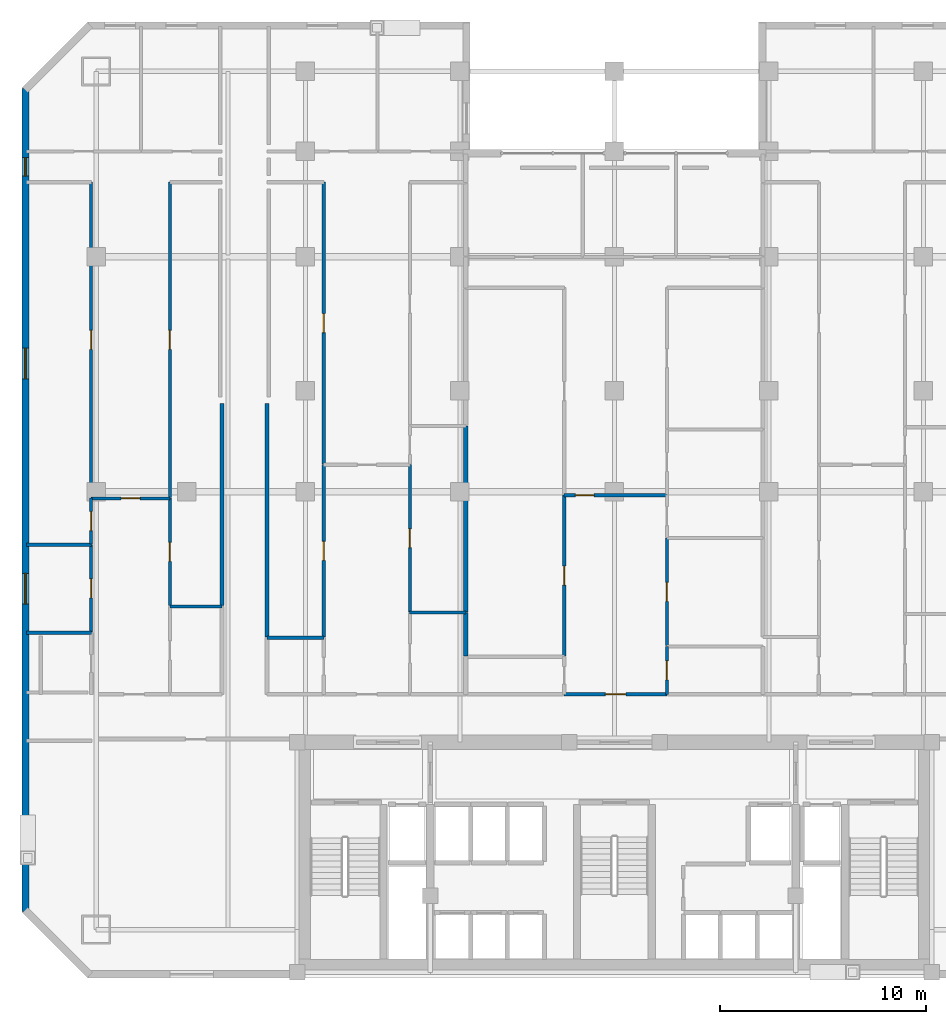
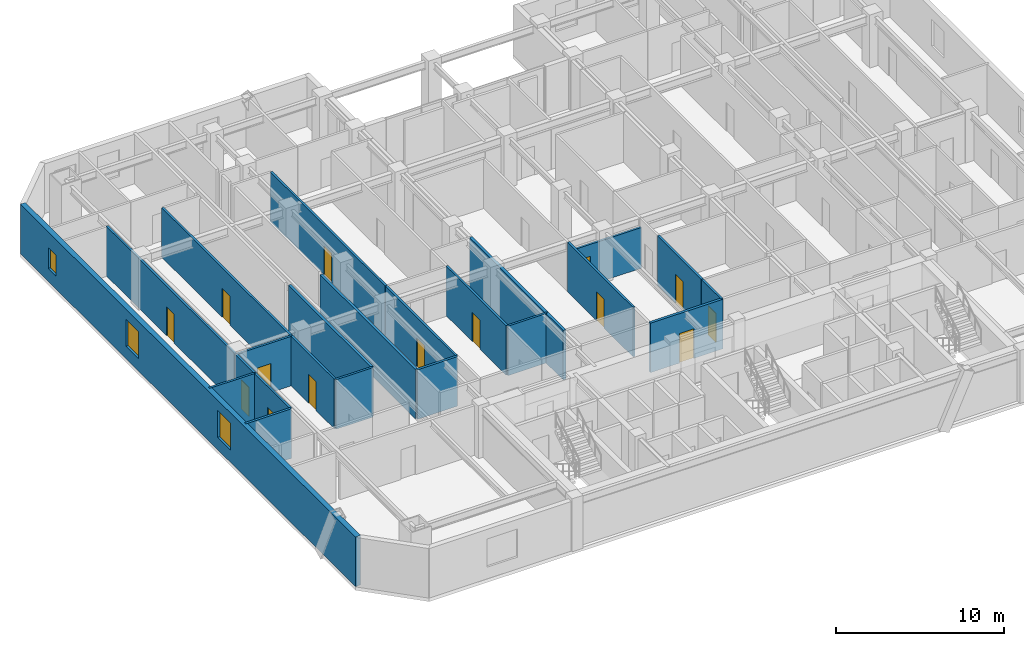
# One storey, part 8 of 14: 24 walls, 14 doors, 3 windows, 17 openings.
"""IFC4 building model written with IfcOpenShell, lengths in metres."""

from ifc_helpers import new_model, si_unit, direction, frame, frame_2d, origin, place, context, subcontext, project, spatial, rectangle, extrude, material, layer, layer_set, type_object, element, fill, save


model = new_model("IFC4")

# Units and contexts
model_context = context("Model", 3, precision=1e-05, world=origin(), true_north=direction((0.0, 1.0)))
body_context = subcontext(model_context, "Body", "Model", "MODEL_VIEW")
ifc_project = project(units=[si_unit("LENGTHUNIT", "METRE"), si_unit("AREAUNIT", "SQUARE_METRE"), si_unit("VOLUMEUNIT", "CUBIC_METRE"), si_unit("PLANEANGLEUNIT", "RADIAN"), si_unit("MASSUNIT", "GRAM", prefix="KILO")], contexts=[model_context])

# Site, building, storey
site_placement = place(None, origin())
site = spatial("IfcSite", under=ifc_project, at=site_placement, CompositionType="ELEMENT")
building_placement = place(site_placement, origin())
building = spatial("IfcBuilding", under=site, at=building_placement, Name="Ventersveld Concourse Tower", CompositionType="ELEMENT")
storey_placement = place(building_placement, frame((0.0, 0.0, 81.050048828125)))
storey = spatial("IfcBuildingStorey", under=building, at=storey_placement, Name="L19", CompositionType="ELEMENT", Elevation=81.050048828125)

# Walls
ifc_material_1 = material(Name="Fire-rated autoclaved aerated masonry blockwork", Category="masonry")
ifc_layer_1 = layer(ifc_material_1, 0.179931640625)
ifc_layer_set_1 = layer_set([ifc_layer_1], Name="Fire-rated autoclaved aerated masonry blockwork")
wall_type_1 = type_object("IfcWallType", Name="WL-CORR-180", PredefinedType="PARTITIONING", material=ifc_layer_set_1)
wall_1_placement = place(storey_placement, frame((9.7099609375, 18.07177734375, 0.0), z_axis=(0.0, 0.0, 1.0), x_axis=(0.0, 1.0, 0.0)))
element("IfcWall", 1, at=wall_1_placement, inside=storey, type_object=wall_type_1, Name="L19 Interior Partition SP-L19-COR-SP-L19-19NW-SEMR1", PredefinedType="PARTITIONING", context=body_context, shape_type="SweptSolid", body=[
    extrude(rectangle(XDim=9.8232421875, YDim=0.179931640625, at=frame_2d((4.91162109375, 0.0))), origin(), (0.0, 0.0, 1.0), 3.599853515625),
])
wall_2_placement = place(storey_placement, frame((11.889892578125, 16.54638671875, 0.0), z_axis=(0.0, 0.0, 1.0), x_axis=(0.0, 1.0, 0.0)))
element("IfcWall", 2, at=wall_2_placement, inside=storey, type_object=wall_type_1, Name="L19 Interior Partition SP-L19-COR-SP-L19-19CW-MEDL0", PredefinedType="PARTITIONING", context=body_context, shape_type="SweptSolid", body=[
    extrude(rectangle(XDim=11.3486328125, YDim=0.179931640625, at=frame_2d((5.67431640625, 0.0))), origin(), (0.0, 0.0, 1.0), 3.599853515625),
])

# Wall, opening, door
wall_3_placement = place(storey_placement, frame((26.314208984375, 13.77001953125, 0.0), z_axis=(0.0, 0.0, 1.0), x_axis=(1.0, 0.0, 0.0)))
wall_3 = element("IfcWall", 3, at=wall_3_placement, inside=storey, type_object=wall_type_1, Name="L19 Interior Partition SP-L19-COR-SP-L19-19CM-FOY", PredefinedType="PARTITIONING", context=body_context, shape_type="SweptSolid", body=[
    extrude(rectangle(XDim=4.989990234375, YDim=0.179931640625, at=frame_2d((2.4951171875, 0.0))), origin(), (0.0, 0.0, 1.0), 3.599853515625),
])
opening_1_placement = place(wall_3_placement, frame((1.9951171875, 0.0, 0.0)))
opening_1 = element("IfcOpeningElement", 4, at=opening_1_placement, cuts=wall_3, Name="Opening FD3", PredefinedType="OPENING", context=body_context, shape_type="SweptSolid", body=[
    extrude(rectangle(XDim=1.0, YDim=2.14990234375, at=frame_2d((0.5, 1.074951171875))), frame((0.0, 0.10009765625, 0.0), z_axis=(0.0, -1.0, 0.0), x_axis=(1.0, 0.0, 0.0)), (0.0, 0.0, 1.0), 0.199951171875),
])
ifc_material_2 = material(Name="Solid-core hardwood veneer timber", Category="wood")
door_type_1 = type_object("IfcDoorType", Name="DR-FLAT-100", OperationType="NOTDEFINED", PredefinedType="DOOR", material=ifc_material_2)
door_1_placement = place(opening_1_placement, origin())
door_1 = element("IfcDoor", 5, at=door_1_placement, inside=storey, type_object=door_type_1, Name="L19 Interior Door SP-L19-COR to SP-L19-19CM-FOY (FD-L19-0889)", OperationType="SINGLE_SWING_LEFT", OverallHeight=2.14990234375, OverallWidth=1.0, PredefinedType="DOOR", context=body_context, shape_type="SweptSolid", body=[
    extrude(rectangle(XDim=1.0, YDim=2.14990234375, at=frame_2d((0.5, 1.074951171875))), frame((0.0, 0.02490234375, 0.0), z_axis=(0.0, -1.0, 0.0), x_axis=(1.0, 0.0, 0.0)), (0.0, 0.0, 1.0), 0.050048828125),
])
fill(opening_1, door_1)

# Walls
ifc_layer_2 = layer(ifc_material_1, 0.199951171875)
ifc_layer_set_2 = layer_set([ifc_layer_2], Name="Fire-rated autoclaved aerated masonry blockwork")
wall_type_2 = type_object("IfcWallType", Name="WL-DEMISE-200", PredefinedType="PARTITIONING", material=ifc_layer_set_2)
wall_4_placement = place(storey_placement, frame((21.5400390625, 15.635009765625, 0.0), z_axis=(0.0, 0.0, 1.0), x_axis=(0.0, 1.0, 0.0)))
element("IfcWall", 6, at=wall_4_placement, inside=storey, type_object=wall_type_2, Name="L19 Interior Partition SP-L19-19CW-KIT-SP-L19-19CM-SEML0", PredefinedType="PARTITIONING", context=body_context, shape_type="SweptSolid", body=[
    extrude(rectangle(XDim=2.103759765625, YDim=0.199951171875, at=frame_2d((1.0517578125, 0.0))), origin(), (0.0, 0.0, 1.0), 3.599853515625),
])
wall_5_placement = place(storey_placement, frame((21.5400390625, 17.768798828125, 0.0), z_axis=(0.0, 0.0, 1.0), x_axis=(0.0, 1.0, 0.0)))
element("IfcWall", 7, at=wall_5_placement, inside=storey, type_object=wall_type_2, Name="L19 Interior Partition SP-L19-19CW-DENR-SP-L19-19CM-SEML0", PredefinedType="PARTITIONING", context=body_context, shape_type="SweptSolid", body=[
    extrude(rectangle(XDim=9.024169921875, YDim=0.199951171875, at=frame_2d((4.51220703125, 0.0))), origin(), (0.0, 0.0, 1.0), 3.599853515625),
])

# Wall, opening, door
ifc_material_3 = material(Name="Autoclaved aerated masonry blockwork", Category="masonry")
ifc_layer_3 = layer(ifc_material_3, 0.14990234375)
ifc_layer_set_3 = layer_set([ifc_layer_3], Name="Autoclaved aerated masonry blockwork")
wall_type_3 = type_object("IfcWallType", Name="WL-INT-150", PredefinedType="PARTITIONING", material=ifc_layer_set_3)
wall_6_placement = place(storey_placement, frame((3.35400390625, 23.2822265625, 0.0), z_axis=(0.0, 0.0, 1.0), x_axis=(1.0, 0.0, 0.0)))
wall_6 = element("IfcWall", 8, at=wall_6_placement, inside=storey, type_object=wall_type_3, Name="L19 Interior Partition SP-L19-19NW-FOY-SP-L19-19NW-LIV", PredefinedType="PARTITIONING", context=body_context, shape_type="SweptSolid", body=[
    extrude(rectangle(XDim=3.83203125, YDim=0.14990234375, at=frame_2d((1.916015625, 0.0))), origin(), (0.0, 0.0, 1.0), 3.599853515625),
])
opening_2_placement = place(wall_6_placement, frame((1.4560546875, 0.0, 0.0)))
opening_2 = element("IfcOpeningElement", 9, at=opening_2_placement, cuts=wall_6, Name="Opening ID1", PredefinedType="OPENING", context=body_context, shape_type="SweptSolid", body=[
    extrude(rectangle(XDim=0.919921875, YDim=2.10009765625, at=frame_2d((0.4599609375, 1.050048828125))), frame((0.0, 0.0849609375, 0.0), z_axis=(0.0, -1.0, 0.0), x_axis=(1.0, 0.0, 0.0)), (0.0, 0.0, 1.0), 0.169921875),
])
door_type_2 = type_object("IfcDoorType", Name="DR-ROOM-092", OperationType="NOTDEFINED", PredefinedType="DOOR", material=ifc_material_2)
door_2_placement = place(opening_2_placement, origin())
door_2 = element("IfcDoor", 10, at=door_2_placement, inside=storey, type_object=door_type_2, Name="L19 Interior Door SP-L19-19NW-FOY to SP-L19-19NW-LIV (D-L19-0890)", OperationType="SINGLE_SWING_RIGHT", OverallHeight=2.10009765625, OverallWidth=0.919921875, PredefinedType="DOOR", context=body_context, shape_type="SweptSolid", body=[
    extrude(rectangle(XDim=0.919921875, YDim=2.10009765625, at=frame_2d((0.4599609375, 1.050048828125))), frame((0.0, 0.02490234375, 0.0), z_axis=(0.0, -1.0, 0.0), x_axis=(1.0, 0.0, 0.0)), (0.0, 0.0, 1.0), 0.050048828125),
])
fill(opening_2, door_2)

wall_7_placement = place(storey_placement, frame((3.35888671875, 16.794677734375, 0.0), z_axis=(0.0, 0.0, 1.0), x_axis=(0.0, 1.0, 0.0)))
wall_7 = element("IfcWall", 11, at=wall_7_placement, inside=storey, type_object=wall_type_3, Name="L19 Interior Partition SP-L19-19NW-FOY-SP-L19-19NW-PANL0", PredefinedType="PARTITIONING", context=body_context, shape_type="SweptSolid", body=[
    extrude(rectangle(XDim=4.23681640625, YDim=0.14990234375, at=frame_2d((2.118408203125, 0.0))), origin(), (0.0, 0.0, 1.0), 3.599853515625),
])
opening_3_placement = place(wall_7_placement, frame((1.658447265625, 0.0, 0.0)))
opening_3 = element("IfcOpeningElement", 12, at=opening_3_placement, cuts=wall_7, Name="Opening ID1", PredefinedType="OPENING", context=body_context, shape_type="SweptSolid", body=[
    extrude(rectangle(XDim=0.919921875, YDim=2.10009765625, at=frame_2d((0.4599609375, 1.050048828125))), frame((0.0, 0.0849609375, 0.0), z_axis=(0.0, -1.0, 0.0), x_axis=(1.0, 0.0, 0.0)), (0.0, 0.0, 1.0), 0.169921875),
])
door_3_placement = place(opening_3_placement, origin())
door_3 = element("IfcDoor", 13, at=door_3_placement, inside=storey, type_object=door_type_2, Name="L19 Interior Door SP-L19-19NW-FOY to SP-L19-19NW-PANL0 (D-L19-0892)", OperationType="SINGLE_SWING_RIGHT", OverallHeight=2.10009765625, OverallWidth=0.919921875, PredefinedType="DOOR", context=body_context, shape_type="SweptSolid", body=[
    extrude(rectangle(XDim=0.919921875, YDim=2.10009765625, at=frame_2d((0.4599609375, 1.050048828125))), frame((0.0, 0.02490234375, 0.0), z_axis=(0.0, -1.0, 0.0), x_axis=(1.0, 0.0, 0.0)), (0.0, 0.0, 1.0), 0.050048828125),
])
fill(opening_3, door_3)

wall_8_placement = place(storey_placement, frame((3.35888671875, 21.0615234375, 0.0), z_axis=(0.0, 0.0, 1.0), x_axis=(0.0, 1.0, 0.0)))
wall_8 = element("IfcWall", 14, at=wall_8_placement, inside=storey, type_object=wall_type_3, Name="L19 Interior Partition SP-L19-19NW-FOY-SP-L19-19NW-DENL", PredefinedType="PARTITIONING", context=body_context, shape_type="SweptSolid", body=[
    extrude(rectangle(XDim=2.2255859375, YDim=0.14990234375, at=frame_2d((1.11279296875, 0.0))), origin(), (0.0, 0.0, 1.0), 3.599853515625),
])
opening_4_placement = place(wall_8_placement, frame((0.65283203125, 0.0, 0.0)))
opening_4 = element("IfcOpeningElement", 15, at=opening_4_placement, cuts=wall_8, Name="Opening ID1", PredefinedType="OPENING", context=body_context, shape_type="SweptSolid", body=[
    extrude(rectangle(XDim=0.919921875, YDim=2.10009765625, at=frame_2d((0.4599609375, 1.050048828125))), frame((0.0, 0.0849609375, 0.0), z_axis=(0.0, -1.0, 0.0), x_axis=(1.0, 0.0, 0.0)), (0.0, 0.0, 1.0), 0.169921875),
])
door_4_placement = place(opening_4_placement, origin())
door_4 = element("IfcDoor", 16, at=door_4_placement, inside=storey, type_object=door_type_2, Name="L19 Interior Door SP-L19-19NW-FOY to SP-L19-19NW-DENL (D-L19-0893)", OperationType="SINGLE_SWING_LEFT", OverallHeight=2.10009765625, OverallWidth=0.919921875, PredefinedType="DOOR", context=body_context, shape_type="SweptSolid", body=[
    extrude(rectangle(XDim=0.919921875, YDim=2.10009765625, at=frame_2d((0.4599609375, 1.050048828125))), frame((0.0, 0.02490234375, 0.0), z_axis=(0.0, -1.0, 0.0), x_axis=(1.0, 0.0, 0.0)), (0.0, 0.0, 1.0), 0.050048828125),
])
fill(opening_4, door_4)

wall_9_placement = place(storey_placement, frame((7.180908203125, 18.07177734375, 0.0), z_axis=(0.0, 0.0, 1.0), x_axis=(0.0, 1.0, 0.0)))
wall_9 = element("IfcWall", 17, at=wall_9_placement, inside=storey, type_object=wall_type_3, Name="L19 Interior Partition SP-L19-19NW-FOY-SP-L19-19NW-SEMR1", PredefinedType="PARTITIONING", context=body_context, shape_type="SweptSolid", body=[
    extrude(rectangle(XDim=5.21533203125, YDim=0.14990234375, at=frame_2d((2.607666015625, 0.0))), origin(), (0.0, 0.0, 1.0), 3.599853515625),
])
opening_5_placement = place(wall_9_placement, frame((2.147705078125, 0.0, 0.0)))
opening_5 = element("IfcOpeningElement", 18, at=opening_5_placement, cuts=wall_9, Name="Opening ID1", PredefinedType="OPENING", context=body_context, shape_type="SweptSolid", body=[
    extrude(rectangle(XDim=0.919921875, YDim=2.10009765625, at=frame_2d((0.4599609375, 1.050048828125))), frame((0.0, 0.0849609375, 0.0), z_axis=(0.0, -1.0, 0.0), x_axis=(1.0, 0.0, 0.0)), (0.0, 0.0, 1.0), 0.169921875),
])
door_5_placement = place(opening_5_placement, origin())
door_5 = element("IfcDoor", 19, at=door_5_placement, inside=storey, type_object=door_type_2, Name="L19 Interior Door SP-L19-19NW-FOY to SP-L19-19NW-SEMR1 (D-L19-0895)", OperationType="SINGLE_SWING_LEFT", OverallHeight=2.10009765625, OverallWidth=0.919921875, PredefinedType="DOOR", context=body_context, shape_type="SweptSolid", body=[
    extrude(rectangle(XDim=0.919921875, YDim=2.10009765625, at=frame_2d((0.4599609375, 1.050048828125))), frame((0.0, 0.02490234375, 0.0), z_axis=(0.0, -1.0, 0.0), x_axis=(1.0, 0.0, 0.0)), (0.0, 0.0, 1.0), 0.050048828125),
])
fill(opening_5, door_5)

wall_10_placement = place(storey_placement, frame((3.35888671875, 23.317138671875, 0.0), z_axis=(0.0, 0.0, 1.0), x_axis=(0.0, 1.0, 0.0)))
wall_10 = element("IfcWall", 20, at=wall_10_placement, inside=storey, type_object=wall_type_3, Name="L19 Interior Partition SP-L19-19NW-LIV-SP-L19-19NW-DENL", PredefinedType="PARTITIONING", context=body_context, shape_type="SweptSolid", body=[
    extrude(rectangle(XDim=15.307861328125, YDim=0.14990234375, at=frame_2d((7.65380859375, 0.0))), origin(), (0.0, 0.0, 1.0), 3.599853515625),
])
opening_6_placement = place(wall_10_placement, frame((7.19384765625, 0.0, 0.0)))
opening_6 = element("IfcOpeningElement", 21, at=opening_6_placement, cuts=wall_10, Name="Opening ID1", PredefinedType="OPENING", context=body_context, shape_type="SweptSolid", body=[
    extrude(rectangle(XDim=0.919921875, YDim=2.10009765625, at=frame_2d((0.4599609375, 1.050048828125))), frame((0.0, 0.0849609375, 0.0), z_axis=(0.0, -1.0, 0.0), x_axis=(1.0, 0.0, 0.0)), (0.0, 0.0, 1.0), 0.169921875),
])
door_6_placement = place(opening_6_placement, origin())
door_6 = element("IfcDoor", 22, at=door_6_placement, inside=storey, type_object=door_type_2, Name="L19 Interior Door SP-L19-19NW-LIV to SP-L19-19NW-DENL (D-L19-0896)", OperationType="SINGLE_SWING_RIGHT", OverallHeight=2.10009765625, OverallWidth=0.919921875, PredefinedType="DOOR", context=body_context, shape_type="SweptSolid", body=[
    extrude(rectangle(XDim=0.919921875, YDim=2.10009765625, at=frame_2d((0.4599609375, 1.050048828125))), frame((0.0, 0.02490234375, 0.0), z_axis=(0.0, -1.0, 0.0), x_axis=(1.0, 0.0, 0.0)), (0.0, 0.0, 1.0), 0.050048828125),
])
fill(opening_6, door_6)

wall_11_placement = place(storey_placement, frame((7.180908203125, 23.317138671875, 0.0), z_axis=(0.0, 0.0, 1.0), x_axis=(0.0, 1.0, 0.0)))
wall_11 = element("IfcWall", 23, at=wall_11_placement, inside=storey, type_object=wall_type_3, Name="L19 Interior Partition SP-L19-19NW-LIV-SP-L19-19NW-SEMR1", PredefinedType="PARTITIONING", context=body_context, shape_type="SweptSolid", body=[
    extrude(rectangle(XDim=15.307861328125, YDim=0.14990234375, at=frame_2d((7.65380859375, 0.0))), origin(), (0.0, 0.0, 1.0), 3.599853515625),
])
opening_7_placement = place(wall_11_placement, frame((7.19384765625, 0.0, 0.0)))
opening_7 = element("IfcOpeningElement", 24, at=opening_7_placement, cuts=wall_11, Name="Opening ID1", PredefinedType="OPENING", context=body_context, shape_type="SweptSolid", body=[
    extrude(rectangle(XDim=0.919921875, YDim=2.10009765625, at=frame_2d((0.4599609375, 1.050048828125))), frame((0.0, 0.0849609375, 0.0), z_axis=(0.0, -1.0, 0.0), x_axis=(1.0, 0.0, 0.0)), (0.0, 0.0, 1.0), 0.169921875),
])
door_7_placement = place(opening_7_placement, origin())
door_7 = element("IfcDoor", 25, at=door_7_placement, inside=storey, type_object=door_type_2, Name="L19 Interior Door SP-L19-19NW-LIV to SP-L19-19NW-SEMR1 (D-L19-0897)", OperationType="SINGLE_SWING_LEFT", OverallHeight=2.10009765625, OverallWidth=0.919921875, PredefinedType="DOOR", context=body_context, shape_type="SweptSolid", body=[
    extrude(rectangle(XDim=0.919921875, YDim=2.10009765625, at=frame_2d((0.4599609375, 1.050048828125))), frame((0.0, 0.02490234375, 0.0), z_axis=(0.0, -1.0, 0.0), x_axis=(1.0, 0.0, 0.0)), (0.0, 0.0, 1.0), 0.050048828125),
])
fill(opening_7, door_7)

# Walls
wall_12_placement = place(storey_placement, frame((0.2099609375, 21.026611328125, 0.0), z_axis=(0.0, 0.0, 1.0), x_axis=(1.0, 0.0, 0.0)))
element("IfcWall", 26, at=wall_12_placement, inside=storey, type_object=wall_type_3, Name="L19 Interior Partition SP-L19-19NW-PANL0-SP-L19-19NW-DENL", PredefinedType="PARTITIONING", context=body_context, shape_type="SweptSolid", body=[
    extrude(rectangle(XDim=3.154052734375, YDim=0.14990234375, at=frame_2d((1.5771484375, 0.0))), origin(), (0.0, 0.0, 1.0), 3.599853515625),
])
wall_13_placement = place(storey_placement, frame((7.176025390625, 18.036865234375, 0.0), z_axis=(0.0, 0.0, 1.0), x_axis=(1.0, 0.0, 0.0)))
element("IfcWall", 27, at=wall_13_placement, inside=storey, type_object=wall_type_3, Name="L19 Interior Partition SP-L19-19NW-KIT-SP-L19-19NW-SEMR1", PredefinedType="PARTITIONING", context=body_context, shape_type="SweptSolid", body=[
    extrude(rectangle(XDim=2.5390625, YDim=0.14990234375, at=frame_2d((1.26953125, 0.0))), origin(), (0.0, 0.0, 1.0), 3.599853515625),
])

# Wall, opening, door
wall_14_placement = place(storey_placement, frame((14.646484375, 16.54638671875, 0.0), z_axis=(0.0, 0.0, 1.0), x_axis=(0.0, 1.0, 0.0)))
wall_14 = element("IfcWall", 28, at=wall_14_placement, inside=storey, type_object=wall_type_3, Name="L19 Interior Partition SP-L19-19CW-FOY-SP-L19-19CW-MEDL0", PredefinedType="PARTITIONING", context=body_context, shape_type="SweptSolid", body=[
    extrude(rectangle(XDim=8.37060546875, YDim=0.14990234375, at=frame_2d((4.185302734375, 0.0))), origin(), (0.0, 0.0, 1.0), 3.599853515625),
])
opening_8_placement = place(wall_14_placement, frame((3.72509765625, 0.0, 0.0)))
opening_8 = element("IfcOpeningElement", 29, at=opening_8_placement, cuts=wall_14, Name="Opening ID1", PredefinedType="OPENING", context=body_context, shape_type="SweptSolid", body=[
    extrude(rectangle(XDim=0.919921875, YDim=2.10009765625, at=frame_2d((0.4599609375, 1.050048828125))), frame((0.0, 0.0849609375, 0.0), z_axis=(0.0, -1.0, 0.0), x_axis=(1.0, 0.0, 0.0)), (0.0, 0.0, 1.0), 0.169921875),
])
door_8_placement = place(opening_8_placement, origin())
door_8 = element("IfcDoor", 30, at=door_8_placement, inside=storey, type_object=door_type_2, Name="L19 Interior Door SP-L19-19CW-FOY to SP-L19-19CW-MEDL0 (D-L19-0913)", OperationType="SINGLE_SWING_LEFT", OverallHeight=2.10009765625, OverallWidth=0.919921875, PredefinedType="DOOR", context=body_context, shape_type="SweptSolid", body=[
    extrude(rectangle(XDim=0.919921875, YDim=2.10009765625, at=frame_2d((0.4599609375, 1.050048828125))), frame((0.0, 0.02490234375, 0.0), z_axis=(0.0, -1.0, 0.0), x_axis=(1.0, 0.0, 0.0)), (0.0, 0.0, 1.0), 0.050048828125),
])
fill(opening_8, door_8)

wall_15_placement = place(storey_placement, frame((18.82275390625, 17.768798828125, 0.0), z_axis=(0.0, 0.0, 1.0), x_axis=(0.0, 1.0, 0.0)))
wall_15 = element("IfcWall", 31, at=wall_15_placement, inside=storey, type_object=wall_type_3, Name="L19 Interior Partition SP-L19-19CW-FOY-SP-L19-19CW-DENR", PredefinedType="PARTITIONING", context=body_context, shape_type="SweptSolid", body=[
    extrude(rectangle(XDim=7.148193359375, YDim=0.14990234375, at=frame_2d((3.57421875, 0.0))), origin(), (0.0, 0.0, 1.0), 3.599853515625),
])
opening_9_placement = place(wall_15_placement, frame((3.114013671875, 0.0, 0.0)))
opening_9 = element("IfcOpeningElement", 32, at=opening_9_placement, cuts=wall_15, Name="Opening ID1", PredefinedType="OPENING", context=body_context, shape_type="SweptSolid", body=[
    extrude(rectangle(XDim=0.919921875, YDim=2.10009765625, at=frame_2d((0.4599609375, 1.050048828125))), frame((0.0, 0.0849609375, 0.0), z_axis=(0.0, -1.0, 0.0), x_axis=(1.0, 0.0, 0.0)), (0.0, 0.0, 1.0), 0.169921875),
])
door_9_placement = place(opening_9_placement, origin())
door_9 = element("IfcDoor", 33, at=door_9_placement, inside=storey, type_object=door_type_2, Name="L19 Interior Door SP-L19-19CW-FOY to SP-L19-19CW-DENR (D-L19-0915)", OperationType="SINGLE_SWING_LEFT", OverallHeight=2.10009765625, OverallWidth=0.919921875, PredefinedType="DOOR", context=body_context, shape_type="SweptSolid", body=[
    extrude(rectangle(XDim=0.919921875, YDim=2.10009765625, at=frame_2d((0.4599609375, 1.050048828125))), frame((0.0, 0.02490234375, 0.0), z_axis=(0.0, -1.0, 0.0), x_axis=(1.0, 0.0, 0.0)), (0.0, 0.0, 1.0), 0.050048828125),
])
fill(opening_9, door_9)

wall_16_placement = place(storey_placement, frame((14.646484375, 24.947021484375, 0.0), z_axis=(0.0, 0.0, 1.0), x_axis=(0.0, 1.0, 0.0)))
wall_16 = element("IfcWall", 34, at=wall_16_placement, inside=storey, type_object=wall_type_3, Name="L19 Interior Partition SP-L19-19CW-LIV-SP-L19-19CW-MEDL0", PredefinedType="PARTITIONING", context=body_context, shape_type="SweptSolid", body=[
    extrude(rectangle(XDim=13.677978515625, YDim=0.14990234375, at=frame_2d((6.8388671875, 0.0))), origin(), (0.0, 0.0, 1.0), 3.599853515625),
])
opening_10_placement = place(wall_16_placement, frame((6.379150390625, 0.0, 0.0)))
opening_10 = element("IfcOpeningElement", 35, at=opening_10_placement, cuts=wall_16, Name="Opening ID1", PredefinedType="OPENING", context=body_context, shape_type="SweptSolid", body=[
    extrude(rectangle(XDim=0.919921875, YDim=2.10009765625, at=frame_2d((0.4599609375, 1.050048828125))), frame((0.0, 0.0849609375, 0.0), z_axis=(0.0, -1.0, 0.0), x_axis=(1.0, 0.0, 0.0)), (0.0, 0.0, 1.0), 0.169921875),
])
door_10_placement = place(opening_10_placement, origin())
door_10 = element("IfcDoor", 36, at=door_10_placement, inside=storey, type_object=door_type_2, Name="L19 Interior Door SP-L19-19CW-LIV to SP-L19-19CW-MEDL0 (D-L19-0916)", OperationType="SINGLE_SWING_RIGHT", OverallHeight=2.10009765625, OverallWidth=0.919921875, PredefinedType="DOOR", context=body_context, shape_type="SweptSolid", body=[
    extrude(rectangle(XDim=0.919921875, YDim=2.10009765625, at=frame_2d((0.4599609375, 1.050048828125))), frame((0.0, 0.02490234375, 0.0), z_axis=(0.0, -1.0, 0.0), x_axis=(1.0, 0.0, 0.0)), (0.0, 0.0, 1.0), 0.050048828125),
])
fill(opening_10, door_10)

# Wall
wall_17_placement = place(storey_placement, frame((18.81787109375, 17.733642578125, 0.0), z_axis=(0.0, 0.0, 1.0), x_axis=(1.0, 0.0, 0.0)))
element("IfcWall", 37, at=wall_17_placement, inside=storey, type_object=wall_type_3, Name="L19 Interior Partition SP-L19-19CW-KIT-SP-L19-19CW-DENR", PredefinedType="PARTITIONING", context=body_context, shape_type="SweptSolid", body=[
    extrude(rectangle(XDim=2.72705078125, YDim=0.14990234375, at=frame_2d((1.363525390625, 0.0))), origin(), (0.0, 0.0, 1.0), 3.599853515625),
])

# Wall, opening, door
wall_18_placement = place(storey_placement, frame((26.314208984375, 23.42919921875, 0.0), z_axis=(0.0, 0.0, 1.0), x_axis=(1.0, 0.0, 0.0)))
wall_18 = element("IfcWall", 38, at=wall_18_placement, inside=storey, type_object=wall_type_3, Name="L19 Interior Partition SP-L19-19CM-FOY-SP-L19-19CM-LIV", PredefinedType="PARTITIONING", context=body_context, shape_type="SweptSolid", body=[
    extrude(rectangle(XDim=4.989990234375, YDim=0.14990234375, at=frame_2d((2.4951171875, 0.0))), origin(), (0.0, 0.0, 1.0), 2.964111328125),
])
opening_11_placement = place(wall_18_placement, frame((0.5380859375, 0.0, 0.0)))
opening_11 = element("IfcOpeningElement", 39, at=opening_11_placement, cuts=wall_18, Name="Opening ID1", PredefinedType="OPENING", context=body_context, shape_type="SweptSolid", body=[
    extrude(rectangle(XDim=0.919921875, YDim=2.10009765625, at=frame_2d((0.4599609375, 1.050048828125))), frame((0.0, 0.0849609375, 0.0), z_axis=(0.0, -1.0, 0.0), x_axis=(1.0, 0.0, 0.0)), (0.0, 0.0, 1.0), 0.169921875),
])
door_11_placement = place(opening_11_placement, origin())
door_11 = element("IfcDoor", 40, at=door_11_placement, inside=storey, type_object=door_type_2, Name="L19 Interior Door SP-L19-19CM-FOY to SP-L19-19CM-LIV (D-L19-0931)", OperationType="SINGLE_SWING_LEFT", OverallHeight=2.10009765625, OverallWidth=0.919921875, PredefinedType="DOOR", context=body_context, shape_type="SweptSolid", body=[
    extrude(rectangle(XDim=0.919921875, YDim=2.10009765625, at=frame_2d((0.4599609375, 1.050048828125))), frame((0.0, 0.02490234375, 0.0), z_axis=(0.0, -1.0, 0.0), x_axis=(1.0, 0.0, 0.0)), (0.0, 0.0, 1.0), 0.050048828125),
])
fill(opening_11, door_11)

wall_19_placement = place(storey_placement, frame((26.319091796875, 15.635009765625, 0.0), z_axis=(0.0, 0.0, 1.0), x_axis=(0.0, 1.0, 0.0)))
wall_19 = element("IfcWall", 41, at=wall_19_placement, inside=storey, type_object=wall_type_3, Name="L19 Interior Partition SP-L19-19CM-FOY-SP-L19-19CM-SEML0", PredefinedType="PARTITIONING", context=body_context, shape_type="SweptSolid", body=[
    extrude(rectangle(XDim=7.79931640625, YDim=0.14990234375, at=frame_2d((3.899658203125, 0.0))), origin(), (0.0, 0.0, 1.0), 3.599853515625),
])
opening_12_placement = place(wall_19_placement, frame((3.439697265625, 0.0, 0.0)))
opening_12 = element("IfcOpeningElement", 42, at=opening_12_placement, cuts=wall_19, Name="Opening ID1", PredefinedType="OPENING", context=body_context, shape_type="SweptSolid", body=[
    extrude(rectangle(XDim=0.919921875, YDim=2.10009765625, at=frame_2d((0.4599609375, 1.050048828125))), frame((0.0, 0.0849609375, 0.0), z_axis=(0.0, -1.0, 0.0), x_axis=(1.0, 0.0, 0.0)), (0.0, 0.0, 1.0), 0.169921875),
])
door_12_placement = place(opening_12_placement, origin())
door_12 = element("IfcDoor", 43, at=door_12_placement, inside=storey, type_object=door_type_2, Name="L19 Interior Door SP-L19-19CM-FOY to SP-L19-19CM-SEML0 (D-L19-0933)", OperationType="SINGLE_SWING_LEFT", OverallHeight=2.10009765625, OverallWidth=0.919921875, PredefinedType="DOOR", context=body_context, shape_type="SweptSolid", body=[
    extrude(rectangle(XDim=0.919921875, YDim=2.10009765625, at=frame_2d((0.4599609375, 1.050048828125))), frame((0.0, 0.02490234375, 0.0), z_axis=(0.0, -1.0, 0.0), x_axis=(1.0, 0.0, 0.0)), (0.0, 0.0, 1.0), 0.050048828125),
])
fill(opening_12, door_12)

wall_20_placement = place(storey_placement, frame((31.29931640625, 13.764892578125, 0.0), z_axis=(0.0, 0.0, 1.0), x_axis=(0.0, 1.0, 0.0)))
wall_20 = element("IfcWall", 44, at=wall_20_placement, inside=storey, type_object=wall_type_3, Name="L19 Interior Partition SP-L19-19CM-FOY-SP-L19-19CM-KIT", PredefinedType="PARTITIONING", context=body_context, shape_type="SweptSolid", body=[
    extrude(rectangle(XDim=2.33251953125, YDim=0.14990234375, at=frame_2d((1.166259765625, 0.0))), origin(), (0.0, 0.0, 1.0), 3.599853515625),
])
opening_13_placement = place(wall_20_placement, frame((0.706298828125, 0.0, 0.0)))
opening_13 = element("IfcOpeningElement", 45, at=opening_13_placement, cuts=wall_20, Name="Opening ID1", PredefinedType="OPENING", context=body_context, shape_type="SweptSolid", body=[
    extrude(rectangle(XDim=0.919921875, YDim=2.10009765625, at=frame_2d((0.4599609375, 1.050048828125))), frame((0.0, 0.0849609375, 0.0), z_axis=(0.0, -1.0, 0.0), x_axis=(1.0, 0.0, 0.0)), (0.0, 0.0, 1.0), 0.169921875),
])
door_13_placement = place(opening_13_placement, origin())
door_13 = element("IfcDoor", 46, at=door_13_placement, inside=storey, type_object=door_type_2, Name="L19 Interior Door SP-L19-19CM-FOY to SP-L19-19CM-KIT (D-L19-0934)", OperationType="SINGLE_SWING_RIGHT", OverallHeight=2.10009765625, OverallWidth=0.919921875, PredefinedType="DOOR", context=body_context, shape_type="SweptSolid", body=[
    extrude(rectangle(XDim=0.919921875, YDim=2.10009765625, at=frame_2d((0.4599609375, 1.050048828125))), frame((0.0, 0.02490234375, 0.0), z_axis=(0.0, -1.0, 0.0), x_axis=(1.0, 0.0, 0.0)), (0.0, 0.0, 1.0), 0.050048828125),
])
fill(opening_13, door_13)

wall_21_placement = place(storey_placement, frame((31.29931640625, 16.12744140625, 0.0), z_axis=(0.0, 0.0, 1.0), x_axis=(0.0, 1.0, 0.0)))
wall_21 = element("IfcWall", 47, at=wall_21_placement, inside=storey, type_object=wall_type_3, Name="L19 Interior Partition SP-L19-19CM-FOY-SP-L19-19CM-DENR", PredefinedType="PARTITIONING", context=body_context, shape_type="SweptSolid", body=[
    extrude(rectangle(XDim=5.233642578125, YDim=0.14990234375, at=frame_2d((2.61669921875, 0.0))), origin(), (0.0, 0.0, 1.0), 3.599853515625),
])
opening_14_placement = place(wall_21_placement, frame((2.15673828125, 0.0, 0.0)))
opening_14 = element("IfcOpeningElement", 48, at=opening_14_placement, cuts=wall_21, Name="Opening ID1", PredefinedType="OPENING", context=body_context, shape_type="SweptSolid", body=[
    extrude(rectangle(XDim=0.919921875, YDim=2.10009765625, at=frame_2d((0.4599609375, 1.050048828125))), frame((0.0, 0.0849609375, 0.0), z_axis=(0.0, -1.0, 0.0), x_axis=(1.0, 0.0, 0.0)), (0.0, 0.0, 1.0), 0.169921875),
])
door_14_placement = place(opening_14_placement, origin())
door_14 = element("IfcDoor", 49, at=door_14_placement, inside=storey, type_object=door_type_2, Name="L19 Interior Door SP-L19-19CM-FOY to SP-L19-19CM-DENR (D-L19-0935)", OperationType="SINGLE_SWING_LEFT", OverallHeight=2.10009765625, OverallWidth=0.919921875, PredefinedType="DOOR", context=body_context, shape_type="SweptSolid", body=[
    extrude(rectangle(XDim=0.919921875, YDim=2.10009765625, at=frame_2d((0.4599609375, 1.050048828125))), frame((0.0, 0.02490234375, 0.0), z_axis=(0.0, -1.0, 0.0), x_axis=(1.0, 0.0, 0.0)), (0.0, 0.0, 1.0), 0.050048828125),
])
fill(opening_14, door_14)

# Wall, openings, windows
ifc_material_4 = material(Name="Precast concrete C45/55", Category="concrete")
ifc_layer_4 = layer(ifc_material_4, 0.35009765625)
ifc_layer_set_4 = layer_set([ifc_layer_4], Name="Precast concrete C45/55")
wall_type_4 = type_object("IfcWallType", Name="WL-PREC-350", PredefinedType="SOLIDWALL", material=ifc_layer_set_4)
wall_22_placement = place(storey_placement, frame((0.175048828125, 43.159912109375, 0.0), z_axis=(0.0, 0.0, 1.0), x_axis=(0.0, -1.0, 0.0)))
wall_22 = element("IfcWall", 50, at=wall_22_placement, inside=storey, type_object=wall_type_4, Name="L19 Highveld Precast Facade Wall E11", PredefinedType="SOLIDWALL", context=body_context, shape_type="SweptSolid", body=[
    extrude(rectangle(XDim=39.919921875, YDim=0.35009765625, at=frame_2d((19.9599609375, 0.0))), origin(), (0.0, 0.0, 1.0), 3.599853515625),
])
opening_15_placement = place(wall_22_placement, frame((3.340087890625, 0.0, 0.949951171875)))
opening_15 = element("IfcOpeningElement", 51, at=opening_15_placement, cuts=wall_22, Name="Opening W4", PredefinedType="OPENING", context=body_context, shape_type="SweptSolid", body=[
    extrude(rectangle(XDim=0.89990234375, YDim=1.5, at=frame_2d((0.449951171875, 0.75))), frame((0.0, 0.18505859375, 0.0), z_axis=(0.0, -1.0, 0.0), x_axis=(1.0, 0.0, 0.0)), (0.0, 0.0, 1.0), 0.3701171875),
])
opening_16_placement = place(wall_22_placement, frame((23.516845703125, 0.0, 0.89990234375)))
opening_16 = element("IfcOpeningElement", 52, at=opening_16_placement, cuts=wall_22, Name="Opening W1", PredefinedType="OPENING", context=body_context, shape_type="SweptSolid", body=[
    extrude(rectangle(XDim=1.5, YDim=1.949951171875, at=frame_2d((0.75, 0.97509765625))), frame((0.0, 0.18505859375, 0.0), z_axis=(0.0, -1.0, 0.0), x_axis=(1.0, 0.0, 0.0)), (0.0, 0.0, 1.0), 0.3701171875),
])
opening_17_placement = place(wall_22_placement, frame((12.586669921875, 0.0, 0.89990234375)))
opening_17 = element("IfcOpeningElement", 53, at=opening_17_placement, cuts=wall_22, Name="Opening W1", PredefinedType="OPENING", context=body_context, shape_type="SweptSolid", body=[
    extrude(rectangle(XDim=1.5, YDim=1.949951171875, at=frame_2d((0.75, 0.97509765625))), frame((0.0, 0.18505859375, 0.0), z_axis=(0.0, -1.0, 0.0), x_axis=(1.0, 0.0, 0.0)), (0.0, 0.0, 1.0), 0.3701171875),
])
ifc_material_5 = material(Name="Tempered acoustic Low-E IGU", Category="glass")
window_type_1 = type_object("IfcWindowType", Name="WIN-090x150", PartitioningType="SINGLE_PANEL", PredefinedType="WINDOW", material=ifc_material_5)
window_1_placement = place(opening_15_placement, origin())
window_1 = element("IfcWindow", 54, at=window_1_placement, inside=storey, type_object=window_type_1, Name="L19 Punched Low-E Window W-0191", OverallHeight=1.5, OverallWidth=0.89990234375, PartitioningType="SINGLE_PANEL", PredefinedType="WINDOW", context=body_context, shape_type="SweptSolid", body=[
    extrude(rectangle(XDim=0.89990234375, YDim=1.5, at=frame_2d((0.449951171875, 0.75))), frame((0.0, 0.030029296875, 0.0), z_axis=(0.0, -1.0, 0.0), x_axis=(1.0, 0.0, 0.0)), (0.0, 0.0, 1.0), 0.06005859375),
])
fill(opening_15, window_1)
window_type_2 = type_object("IfcWindowType", Name="WIN-150x210", PartitioningType="SINGLE_PANEL", PredefinedType="WINDOW", material=ifc_material_5)
window_2_placement = place(opening_16_placement, origin())
window_2 = element("IfcWindow", 55, at=window_2_placement, inside=storey, type_object=window_type_2, Name="L19 Punched Low-E Window W-0192", OverallHeight=1.949951171875, OverallWidth=1.5, PartitioningType="SINGLE_PANEL", PredefinedType="WINDOW", context=body_context, shape_type="SweptSolid", body=[
    extrude(rectangle(XDim=1.5, YDim=1.949951171875, at=frame_2d((0.75, 0.97509765625))), frame((0.0, 0.030029296875, 0.0), z_axis=(0.0, -1.0, 0.0), x_axis=(1.0, 0.0, 0.0)), (0.0, 0.0, 1.0), 0.06005859375),
])
fill(opening_16, window_2)
window_3_placement = place(opening_17_placement, origin())
window_3 = element("IfcWindow", 56, at=window_3_placement, inside=storey, type_object=window_type_2, Name="L19 Punched Low-E Window W-0193", OverallHeight=1.949951171875, OverallWidth=1.5, PartitioningType="SINGLE_PANEL", PredefinedType="WINDOW", context=body_context, shape_type="SweptSolid", body=[
    extrude(rectangle(XDim=1.5, YDim=1.949951171875, at=frame_2d((0.75, 0.97509765625))), frame((0.0, 0.030029296875, 0.0), z_axis=(0.0, -1.0, 0.0), x_axis=(1.0, 0.0, 0.0)), (0.0, 0.0, 1.0), 0.06005859375),
])
fill(opening_17, window_3)

# Walls
ifc_layer_5 = layer(ifc_material_3, 0.1650390625)
ifc_layer_set_5 = layer_set([ifc_layer_5], Name="Autoclaved aerated masonry blockwork")
wall_type_5 = type_object("IfcWallType", Name="WL-WET-165", PredefinedType="PLUMBINGWALL", material=ifc_layer_set_5)
wall_23_placement = place(storey_placement, frame((0.2099609375, 16.759765625, 0.0), z_axis=(0.0, 0.0, 1.0), x_axis=(1.0, 0.0, 0.0)))
element("IfcWall", 57, at=wall_23_placement, inside=storey, type_object=wall_type_5, Name="L19 Interior Partition SP-L19-19NW-BATH-SP-L19-19NW-PANL0", PredefinedType="PLUMBINGWALL", context=body_context, shape_type="SweptSolid", body=[
    extrude(rectangle(XDim=3.154052734375, YDim=0.1650390625, at=frame_2d((1.5771484375, 0.0))), origin(), (0.0, 0.0, 1.0), 3.599853515625),
])
wall_24_placement = place(storey_placement, frame((11.885009765625, 16.511474609375, 0.0), z_axis=(0.0, 0.0, 1.0), x_axis=(1.0, 0.0, 0.0)))
element("IfcWall", 58, at=wall_24_placement, inside=storey, type_object=wall_type_5, Name="L19 Interior Partition SP-L19-19CW-BATH-SP-L19-19CW-MEDL0", PredefinedType="PLUMBINGWALL", context=body_context, shape_type="SweptSolid", body=[
    extrude(rectangle(XDim=2.7666015625, YDim=0.1650390625, at=frame_2d((1.38330078125, 0.0))), origin(), (0.0, 0.0, 1.0), 3.599853515625),
])

save(model, "model.ifc")
